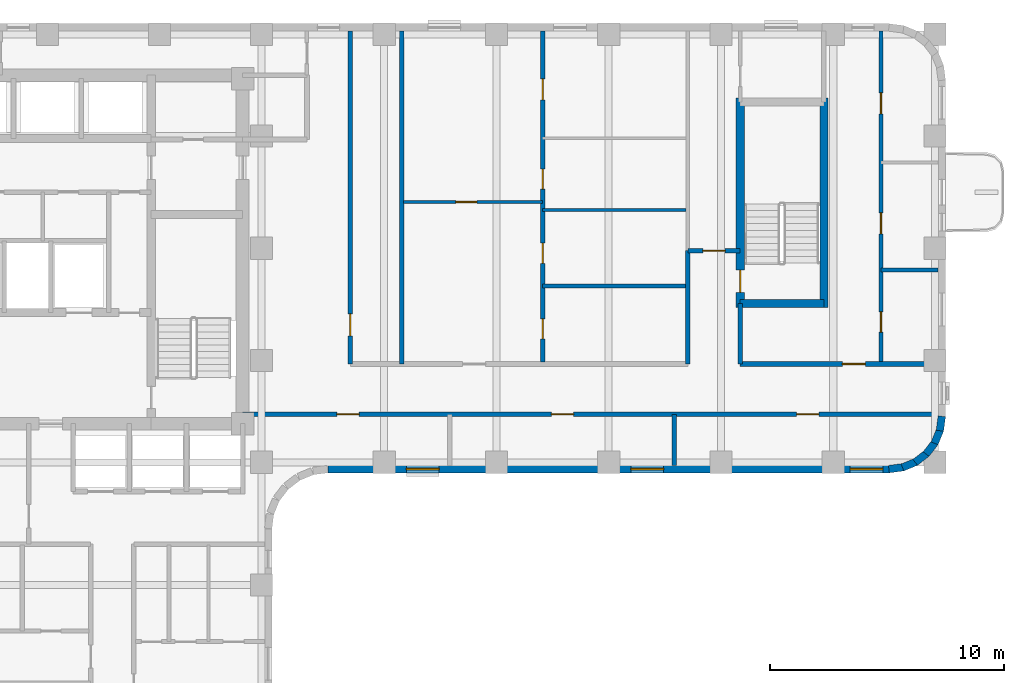
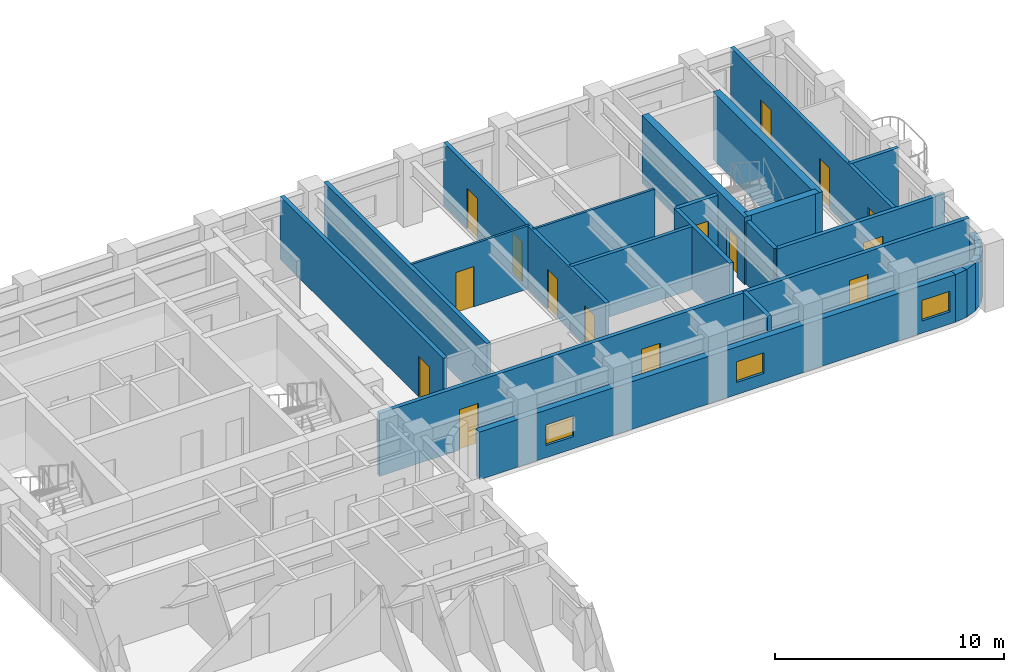
# One storey, part 5 of 10: 24 walls, 15 doors, 3 windows, 18 openings.
"""IFC4 building model written with IfcOpenShell, lengths in metres."""

from ifc_helpers import new_model, si_unit, direction, frame, frame_2d, origin, place, context, subcontext, project, spatial, rectangle, extrude, material, layer, layer_set, type_object, element, fill, save


model = new_model("IFC4")

# Units and contexts
model_context = context("Model", 3, precision=1e-05, world=origin(), true_north=direction((0.0, 1.0)))
body_context = subcontext(model_context, "Body", "Model", "MODEL_VIEW")
ifc_project = project(units=[si_unit("LENGTHUNIT", "METRE"), si_unit("AREAUNIT", "SQUARE_METRE"), si_unit("VOLUMEUNIT", "CUBIC_METRE"), si_unit("PLANEANGLEUNIT", "RADIAN"), si_unit("MASSUNIT", "GRAM", prefix="KILO")], contexts=[model_context])

# Site, building, storey
site_placement = place(None, origin())
site = spatial("IfcSite", under=ifc_project, at=site_placement, CompositionType="ELEMENT")
building_placement = place(site_placement, origin())
building = spatial("IfcBuilding", under=site, at=building_placement, Name="Orvandelia Arch Residences", CompositionType="ELEMENT")
storey_placement = place(building_placement, frame((0.0, 0.0, 132.39990234375)))
storey = spatial("IfcBuildingStorey", under=building, at=storey_placement, Name="L34", CompositionType="ELEMENT", Elevation=132.39990234375)

# Wall, opening, door
ifc_material_1 = material(Name="Concrete C50/60", Category="concrete")
ifc_layer_1 = layer(ifc_material_1, 0.35009765625, Name="Concrete C50/60", Category="concrete")
ifc_layer_set_1 = layer_set([ifc_layer_1], Name="Concrete C50/60")
wall_type_1 = type_object("IfcWallType", Name="WL-CORE-350", PredefinedType="SHEAR", material=ifc_layer_set_1)
wall_1_placement = place(storey_placement, frame((44.02001953125, 35.864990234375, 0.0), z_axis=(0.0, 0.0, 1.0), x_axis=(0.0, 1.0, 0.0)))
wall_1 = element("IfcWall", 1, at=wall_1_placement, inside=storey, type_object=wall_type_1, Name="East Stair Core Shear Wall L34-W", PredefinedType="SHEAR", context=body_context, shape_type="SweptSolid", body=[
    extrude(rectangle(XDim=8.969970703125, YDim=0.35009765625, at=frame_2d((4.48486328125, 0.0))), origin(), (0.0, 0.0, 1.0), 3.60009765625),
])
opening_1_placement = place(wall_1_placement, frame((0.64990234375, 0.0, 0.0)))
opening_1 = element("IfcOpeningElement", 2, at=opening_1_placement, cuts=wall_1, Name="Opening D7", PredefinedType="OPENING", context=body_context, shape_type="SweptSolid", body=[
    extrude(rectangle(XDim=0.949951171875, YDim=2.10009765625, at=frame_2d((0.47509765625, 1.050048828125))), frame((0.0, 0.18505859375, 0.0), z_axis=(0.0, -1.0, 0.0), x_axis=(1.0, 0.0, 0.0)), (0.0, 0.0, 1.0), 0.3701171875),
])
ifc_material_2 = material(Name="Pressurised Stairwell Fire Door")
door_type_1 = type_object("IfcDoorType", Name="DR-STAIR-950", OperationType="NOTDEFINED", PredefinedType="DOOR", material=ifc_material_2)
door_1_placement = place(opening_1_placement, origin())
door_1 = element("IfcDoor", 3, at=door_1_placement, inside=storey, type_object=door_type_1, Name="East Stairwell ST-3 Fire Door L34", OperationType="SINGLE_SWING_LEFT", OverallHeight=2.10009765625, OverallWidth=0.949951171875, PredefinedType="DOOR", context=body_context, shape_type="SweptSolid", body=[
    extrude(rectangle(XDim=0.949951171875, YDim=2.10009765625, at=frame_2d((0.47509765625, 1.050048828125))), frame((0.0, 0.02490234375, 0.0), z_axis=(0.0, -1.0, 0.0), x_axis=(1.0, 0.0, 0.0)), (0.0, 0.0, 1.0), 0.050048828125),
])
fill(opening_1, door_1)

# Walls
wall_2_placement = place(storey_placement, frame((47.60009765625, 35.864990234375, 0.0), z_axis=(0.0, 0.0, 1.0), x_axis=(0.0, 1.0, 0.0)))
element("IfcWall", 4, at=wall_2_placement, inside=storey, type_object=wall_type_1, Name="East Stair Core Shear Wall L34-E", PredefinedType="SHEAR", context=body_context, shape_type="SweptSolid", body=[
    extrude(rectangle(XDim=8.969970703125, YDim=0.35009765625, at=frame_2d((4.48486328125, 0.0))), origin(), (0.0, 0.0, 1.0), 3.60009765625),
])
wall_3_placement = place(storey_placement, frame((44.02001953125, 36.0400390625, 0.0), z_axis=(0.0, 0.0, 1.0), x_axis=(1.0, 0.0, 0.0)))
element("IfcWall", 5, at=wall_3_placement, inside=storey, type_object=wall_type_1, Name="East Stair Core Shear Wall L34-S", PredefinedType="SHEAR", context=body_context, shape_type="SweptSolid", body=[
    extrude(rectangle(XDim=3.580078125, YDim=0.35009765625, at=frame_2d((1.7900390625, 0.0))), origin(), (0.0, 0.0, 1.0), 3.60009765625),
])

# Wall, openings, doors
ifc_material_3 = material(Name="Fire-Rated Corridor Partition")
ifc_layer_2 = layer(ifc_material_3, 0.199951171875, Name="Fire-Rated Corridor Partition")
ifc_layer_set_2 = layer_set([ifc_layer_2], Name="Fire-Rated Corridor Partition")
wall_type_2 = type_object("IfcWallType", Name="WL-CORR-200", PredefinedType="PARTITIONING", material=ifc_layer_set_2)
wall_4_placement = place(storey_placement, frame((22.75, 31.300048828125, 0.0), z_axis=(0.0, 0.0, 1.0), x_axis=(1.0, 0.0, 0.0)))
wall_4 = element("IfcWall", 6, at=wall_4_placement, inside=storey, type_object=wall_type_2, Name="Interior Partition Wall WL-L34-ES-S", PredefinedType="PARTITIONING", context=body_context, shape_type="SweptSolid", body=[
    extrude(rectangle(XDim=29.72998046875, YDim=0.199951171875, at=frame_2d((14.864990234375, 0.0))), origin(), (0.0, 0.0, 1.0), 3.360107421875),
])
opening_2_placement = place(wall_4_placement, frame((4.02490234375, 0.0, 0.0)))
opening_2 = element("IfcOpeningElement", 7, at=opening_2_placement, cuts=wall_4, Name="Opening D2", PredefinedType="OPENING", context=body_context, shape_type="SweptSolid", body=[
    extrude(rectangle(XDim=0.949951171875, YDim=2.14990234375, at=frame_2d((0.47509765625, 1.074951171875))), frame((0.0, 0.10986328125, 0.0), z_axis=(0.0, -1.0, 0.0), x_axis=(1.0, 0.0, 0.0)), (0.0, 0.0, 1.0), 0.219970703125),
])
opening_3_placement = place(wall_4_placement, frame((13.199951171875, 0.0, 0.0)))
opening_3 = element("IfcOpeningElement", 8, at=opening_3_placement, cuts=wall_4, Name="Opening D2", PredefinedType="OPENING", context=body_context, shape_type="SweptSolid", body=[
    extrude(rectangle(XDim=0.949951171875, YDim=2.14990234375, at=frame_2d((0.47509765625, 1.074951171875))), frame((0.0, 0.10986328125, 0.0), z_axis=(0.0, -1.0, 0.0), x_axis=(1.0, 0.0, 0.0)), (0.0, 0.0, 1.0), 0.219970703125),
])
opening_4_placement = place(wall_4_placement, frame((23.679931640625, 0.0, 0.0)))
opening_4 = element("IfcOpeningElement", 9, at=opening_4_placement, cuts=wall_4, Name="Opening D2", PredefinedType="OPENING", context=body_context, shape_type="SweptSolid", body=[
    extrude(rectangle(XDim=0.949951171875, YDim=2.14990234375, at=frame_2d((0.47509765625, 1.074951171875))), frame((0.0, 0.10986328125, 0.0), z_axis=(0.0, -1.0, 0.0), x_axis=(1.0, 0.0, 0.0)), (0.0, 0.0, 1.0), 0.219970703125),
])
ifc_material_4 = material(Name="Solid-Core Timber Interior Fire Door", Category="wood")
door_type_2 = type_object("IfcDoorType", Name="DR-APT-950", OperationType="NOTDEFINED", PredefinedType="DOOR", material=ifc_material_4)
door_2_placement = place(opening_2_placement, origin())
door_2 = element("IfcDoor", 10, at=door_2_placement, inside=storey, type_object=door_type_2, Name="DR-L34-ESS-1", OperationType="SINGLE_SWING_LEFT", OverallHeight=2.14990234375, OverallWidth=0.949951171875, PredefinedType="DOOR", context=body_context, shape_type="SweptSolid", body=[
    extrude(rectangle(XDim=0.949951171875, YDim=2.14990234375, at=frame_2d((0.47509765625, 1.074951171875))), frame((0.0, 0.02490234375, 0.0), z_axis=(0.0, -1.0, 0.0), x_axis=(1.0, 0.0, 0.0)), (0.0, 0.0, 1.0), 0.050048828125),
])
fill(opening_2, door_2)
door_3_placement = place(opening_3_placement, origin())
door_3 = element("IfcDoor", 11, at=door_3_placement, inside=storey, type_object=door_type_2, Name="DR-L34-ESS-2", OperationType="SINGLE_SWING_RIGHT", OverallHeight=2.14990234375, OverallWidth=0.949951171875, PredefinedType="DOOR", context=body_context, shape_type="SweptSolid", body=[
    extrude(rectangle(XDim=0.949951171875, YDim=2.14990234375, at=frame_2d((0.47509765625, 1.074951171875))), frame((0.0, 0.02490234375, 0.0), z_axis=(0.0, -1.0, 0.0), x_axis=(1.0, 0.0, 0.0)), (0.0, 0.0, 1.0), 0.050048828125),
])
fill(opening_3, door_3)
door_4_placement = place(opening_4_placement, origin())
door_4 = element("IfcDoor", 12, at=door_4_placement, inside=storey, type_object=door_type_2, Name="DR-L34-ESS-3", OperationType="SINGLE_SWING_LEFT", OverallHeight=2.14990234375, OverallWidth=0.949951171875, PredefinedType="DOOR", context=body_context, shape_type="SweptSolid", body=[
    extrude(rectangle(XDim=0.949951171875, YDim=2.14990234375, at=frame_2d((0.47509765625, 1.074951171875))), frame((0.0, 0.02490234375, 0.0), z_axis=(0.0, -1.0, 0.0), x_axis=(1.0, 0.0, 0.0)), (0.0, 0.0, 1.0), 0.050048828125),
])
fill(opening_4, door_4)

# Wall, opening, door
wall_5_placement = place(storey_placement, frame((44.02001953125, 33.449951171875, 0.0), z_axis=(0.0, 0.0, 1.0), x_axis=(1.0, 0.0, 0.0)))
wall_5 = element("IfcWall", 13, at=wall_5_placement, inside=storey, type_object=wall_type_2, Name="Interior Partition Wall WL-L34-ES-N2", PredefinedType="PARTITIONING", context=body_context, shape_type="SweptSolid", body=[
    extrude(rectangle(XDim=8.4599609375, YDim=0.199951171875, at=frame_2d((4.22998046875, 0.0))), origin(), (0.0, 0.0, 1.0), 3.360107421875),
])
opening_5_placement = place(wall_5_placement, frame((4.37158203125, 0.0, 0.0)))
opening_5 = element("IfcOpeningElement", 14, at=opening_5_placement, cuts=wall_5, Name="Opening D1", PredefinedType="OPENING", context=body_context, shape_type="SweptSolid", body=[
    extrude(rectangle(XDim=0.97998046875, YDim=2.179931640625, at=frame_2d((0.489990234375, 1.08984375))), frame((0.0, 0.10986328125, 0.0), z_axis=(0.0, -1.0, 0.0), x_axis=(1.0, 0.0, 0.0)), (0.0, 0.0, 1.0), 0.219970703125),
])
ifc_material_5 = material(Name="Solid-Core Timber Acoustic Fire Door", Category="wood")
door_type_3 = type_object("IfcDoorType", Name="DR-ENT-980", OperationType="NOTDEFINED", PredefinedType="DOOR", material=ifc_material_5)
door_5_placement = place(opening_5_placement, origin())
door_5 = element("IfcDoor", 15, at=door_5_placement, inside=storey, type_object=door_type_3, Name="Unit L34-07 Entrance Door", OperationType="SINGLE_SWING_LEFT", OverallHeight=2.179931640625, OverallWidth=0.97998046875, PredefinedType="DOOR", context=body_context, shape_type="SweptSolid", body=[
    extrude(rectangle(XDim=0.97998046875, YDim=2.179931640625, at=frame_2d((0.489990234375, 1.08984375))), frame((0.0, 0.02490234375, 0.0), z_axis=(0.0, -1.0, 0.0), x_axis=(1.0, 0.0, 0.0)), (0.0, 0.0, 1.0), 0.050048828125),
])
fill(opening_5, door_5)

wall_6_placement = place(storey_placement, frame((27.35009765625, 33.449951171875, 0.0), z_axis=(0.0, 0.0, 1.0), x_axis=(0.0, 1.0, 0.0)))
wall_6 = element("IfcWall", 16, at=wall_6_placement, inside=storey, type_object=wall_type_2, Name="Interior Partition Wall WL-L34-ES-NCE", PredefinedType="PARTITIONING", context=body_context, shape_type="SweptSolid", body=[
    extrude(rectangle(XDim=14.22998046875, YDim=0.199951171875, at=frame_2d((7.114990234375, 0.0))), origin(), (0.0, 0.0, 1.0), 3.360107421875),
])
opening_6_placement = place(wall_6_placement, frame((1.199951171875, 0.0, 0.0)))
opening_6 = element("IfcOpeningElement", 17, at=opening_6_placement, cuts=wall_6, Name="Opening D2", PredefinedType="OPENING", context=body_context, shape_type="SweptSolid", body=[
    extrude(rectangle(XDim=0.949951171875, YDim=2.14990234375, at=frame_2d((0.47509765625, 1.074951171875))), frame((0.0, 0.10986328125, 0.0), z_axis=(0.0, -1.0, 0.0), x_axis=(1.0, 0.0, 0.0)), (0.0, 0.0, 1.0), 0.219970703125),
])
door_6_placement = place(opening_6_placement, origin())
door_6 = element("IfcDoor", 18, at=door_6_placement, inside=storey, type_object=door_type_2, Name="DR-L34-ESLDY", OperationType="SINGLE_SWING_RIGHT", OverallHeight=2.14990234375, OverallWidth=0.949951171875, PredefinedType="DOOR", context=body_context, shape_type="SweptSolid", body=[
    extrude(rectangle(XDim=0.949951171875, YDim=2.14990234375, at=frame_2d((0.47509765625, 1.074951171875))), frame((0.0, 0.02490234375, 0.0), z_axis=(0.0, -1.0, 0.0), x_axis=(1.0, 0.0, 0.0)), (0.0, 0.0, 1.0), 0.050048828125),
])
fill(opening_6, door_6)

# Wall
wall_7_placement = place(storey_placement, frame((41.780029296875, 33.449951171875, 0.0), z_axis=(0.0, 0.0, 1.0), x_axis=(0.0, 1.0, 0.0)))
element("IfcWall", 19, at=wall_7_placement, inside=storey, type_object=wall_type_2, Name="Interior Partition Wall WL-L34-ES-SW", PredefinedType="PARTITIONING", context=body_context, shape_type="SweptSolid", body=[
    extrude(rectangle(XDim=4.85009765625, YDim=0.199951171875, at=frame_2d((2.425048828125, 0.0))), origin(), (0.0, 0.0, 1.0), 3.360107421875),
])

# Wall, opening, door
wall_8_placement = place(storey_placement, frame((41.780029296875, 38.300048828125, 0.0), z_axis=(0.0, 0.0, 1.0), x_axis=(1.0, 0.0, 0.0)))
wall_8 = element("IfcWall", 20, at=wall_8_placement, inside=storey, type_object=wall_type_2, Name="Interior Partition Wall WL-L34-ES-SN", PredefinedType="PARTITIONING", context=body_context, shape_type="SweptSolid", body=[
    extrude(rectangle(XDim=2.239990234375, YDim=0.199951171875, at=frame_2d((1.1201171875, 0.0))), origin(), (0.0, 0.0, 1.0), 3.360107421875),
])
opening_7_placement = place(wall_8_placement, frame((0.64990234375, 0.0, 0.0)))
opening_7 = element("IfcOpeningElement", 21, at=opening_7_placement, cuts=wall_8, Name="Opening D2", PredefinedType="OPENING", context=body_context, shape_type="SweptSolid", body=[
    extrude(rectangle(XDim=0.949951171875, YDim=2.14990234375, at=frame_2d((0.47509765625, 1.074951171875))), frame((0.0, 0.10986328125, 0.0), z_axis=(0.0, -1.0, 0.0), x_axis=(1.0, 0.0, 0.0)), (0.0, 0.0, 1.0), 0.219970703125),
])
door_7_placement = place(opening_7_placement, origin())
door_7 = element("IfcDoor", 22, at=door_7_placement, inside=storey, type_object=door_type_2, Name="DR-L34-ESSPK", OperationType="SINGLE_SWING_LEFT", OverallHeight=2.14990234375, OverallWidth=0.949951171875, PredefinedType="DOOR", context=body_context, shape_type="SweptSolid", body=[
    extrude(rectangle(XDim=0.949951171875, YDim=2.14990234375, at=frame_2d((0.47509765625, 1.074951171875))), frame((0.0, 0.02490234375, 0.0), z_axis=(0.0, -1.0, 0.0), x_axis=(1.0, 0.0, 0.0)), (0.0, 0.0, 1.0), 0.050048828125),
])
fill(opening_7, door_7)

# Walls
ifc_material_6 = material(Name="Concrete C40/50", Category="concrete")
ifc_layer_3 = layer(ifc_material_6, 0.199951171875, Name="Concrete C40/50", Category="concrete")
ifc_layer_set_3 = layer_set([ifc_layer_3], Name="Concrete C40/50")
wall_type_3 = type_object("IfcWallType", Name="WL-DEM-200", PredefinedType="SOLIDWALL", material=ifc_layer_set_3)
wall_9_placement = place(storey_placement, frame((41.199951171875, 29.1201171875, 0.0), z_axis=(0.0, 0.0, 1.0), x_axis=(0.0, 1.0, 0.0)))
element("IfcWall", 23, at=wall_9_placement, inside=storey, type_object=wall_type_3, Name="Interior Partition Wall WL-L34-ESSD-2", PredefinedType="SOLIDWALL", context=body_context, shape_type="SweptSolid", body=[
    extrude(rectangle(XDim=2.179931640625, YDim=0.199951171875, at=frame_2d((1.08984375, 0.0))), origin(), (0.0, 0.0, 1.0), 3.360107421875),
])
wall_10_placement = place(storey_placement, frame((29.550048828125, 33.449951171875, 0.0), z_axis=(0.0, 0.0, 1.0), x_axis=(0.0, 1.0, 0.0)))
element("IfcWall", 24, at=wall_10_placement, inside=storey, type_object=wall_type_3, Name="Interior Partition Wall WL-L34-ES-LDE", PredefinedType="SOLIDWALL", context=body_context, shape_type="SweptSolid", body=[
    extrude(rectangle(XDim=14.22998046875, YDim=0.199951171875, at=frame_2d((7.114990234375, 0.0))), origin(), (0.0, 0.0, 1.0), 3.360107421875),
])
wall_11_placement = place(storey_placement, frame((44.02001953125, 33.449951171875, 0.0), z_axis=(0.0, 0.0, 1.0), x_axis=(0.0, 1.0, 0.0)))
element("IfcWall", 25, at=wall_11_placement, inside=storey, type_object=wall_type_3, Name="Interior Partition Wall WL-L34-ES-NST3S", PredefinedType="SOLIDWALL", context=body_context, shape_type="SweptSolid", body=[
    extrude(rectangle(XDim=2.590087890625, YDim=0.199951171875, at=frame_2d((1.294921875, 0.0))), origin(), (0.0, 0.0, 1.0), 3.360107421875),
])
ifc_material_7 = material(Name="Precast concrete C40/50", Category="concrete")
ifc_layer_4 = layer(ifc_material_7, 0.320068359375, Name="Precast concrete C40/50", Category="concrete")
ifc_layer_set_4 = layer_set([ifc_layer_4], Name="Precast concrete C40/50")
wall_type_4 = type_object("IfcWallType", Name="WL-EXT-STONE-320", PredefinedType="STANDARD", material=ifc_layer_set_4)
wall_12_placement = place(storey_placement, frame((52.641357421875, 31.220947265625, 0.0), z_axis=(0.0, 0.0, 1.0), x_axis=(-0.130504898859, -0.991447664465, 0.0)))
element("IfcWall", 26, at=wall_12_placement, inside=storey, type_object=wall_type_4, Name="Coral-Limestone Precast Facade Wall L34-015", PredefinedType="STANDARD", context=body_context, shape_type="SweptSolid", body=[
    extrude(rectangle(XDim=0.626708984375, YDim=0.320068359375, at=frame_2d((0.3134765625, 0.0))), origin(), (0.0, 0.0, 1.0), 2.5400390625),
])
wall_13_placement = place(storey_placement, frame((52.5703125, 30.639892578125, 0.0), z_axis=(0.0, 0.0, 1.0), x_axis=(-0.382455093999, -0.923974080304, 0.0)))
element("IfcWall", 27, at=wall_13_placement, inside=storey, type_object=wall_type_4, Name="Coral-Limestone Precast Facade Wall L34-016", PredefinedType="STANDARD", context=body_context, shape_type="SweptSolid", body=[
    extrude(rectangle(XDim=0.626220703125, YDim=0.320068359375, at=frame_2d((0.31298828125, 0.0))), origin(), (0.0, 0.0, 1.0), 2.5400390625),
])
wall_14_placement = place(storey_placement, frame((52.3515625, 30.097412109375, 0.0), z_axis=(0.0, 0.0, 1.0), x_axis=(-0.608693302629, -0.793405610854, 0.0)))
element("IfcWall", 28, at=wall_14_placement, inside=storey, type_object=wall_type_4, Name="Coral-Limestone Precast Facade Wall L34-017", PredefinedType="STANDARD", context=body_context, shape_type="SweptSolid", body=[
    extrude(rectangle(XDim=0.62646484375, YDim=0.320068359375, at=frame_2d((0.313232421875, 0.0))), origin(), (0.0, 0.0, 1.0), 2.5400390625),
])
wall_15_placement = place(storey_placement, frame((51.999755859375, 29.6298828125, 0.0), z_axis=(0.0, 0.0, 1.0), x_axis=(-0.7932174212, -0.608938521285, 0.0)))
element("IfcWall", 29, at=wall_15_placement, inside=storey, type_object=wall_type_4, Name="Coral-Limestone Precast Facade Wall L34-018", PredefinedType="STANDARD", context=body_context, shape_type="SweptSolid", body=[
    extrude(rectangle(XDim=0.626708984375, YDim=0.320068359375, at=frame_2d((0.3134765625, 0.0))), origin(), (0.0, 0.0, 1.0), 2.5400390625),
])
for number, where, z_axis, x_axis, name in (
    (30, (51.538818359375, 29.269287109375, 0.0), (0.0, 0.0, 1.0), (-0.92389335771, -0.382650053678, 0.0), "Coral-Limestone Precast Facade Wall L34-019"),
    (31, (51.000244140625, 29.040283203125, 0.0), (0.0, 0.0, 1.0), (-0.9914410257, -0.130555323746, 0.0), "Coral-Limestone Precast Facade Wall L34-020"),
):
    element("IfcWall", number, at=place(storey_placement, frame(where, z_axis=z_axis, x_axis=x_axis)), inside=storey, type_object=wall_type_4, Name=name, PredefinedType="STANDARD", context=body_context, shape_type="SweptSolid", body=[
        extrude(rectangle(XDim=0.62646484375, YDim=0.320068359375, at=frame_2d((0.313232421875, 0.0))), origin(), (0.0, 0.0, 1.0), 2.5400390625),
    ])

# Wall, openings, windows
wall_16_placement = place(storey_placement, frame((50.39990234375, 28.9599609375, 0.0), z_axis=(0.0, 0.0, 1.0), x_axis=(-1.0, 0.0, 0.0)))
wall_16 = element("IfcWall", 32, at=wall_16_placement, inside=storey, type_object=wall_type_4, Name="Coral-Limestone Precast Facade Wall L34-021", PredefinedType="STANDARD", context=body_context, shape_type="SweptSolid", body=[
    extrude(rectangle(XDim=24.0, YDim=0.320068359375, at=frame_2d((12.0, 0.0))), origin(), (0.0, 0.0, 1.0), 2.5400390625),
])
opening_8_placement = place(wall_16_placement, frame((19.25244140625, 0.0, 0.64990234375)))
opening_8 = element("IfcOpeningElement", 33, at=opening_8_placement, cuts=wall_16, Name="Opening W10", PredefinedType="OPENING", context=body_context, shape_type="SweptSolid", body=[
    extrude(rectangle(XDim=1.39990234375, YDim=1.10009765625, at=frame_2d((0.699951171875, 0.550048828125))), frame((0.0, 0.169921875, 0.0), z_axis=(0.0, -1.0, 0.0), x_axis=(1.0, 0.0, 0.0)), (0.0, 0.0, 1.0), 0.340087890625),
])
opening_9_placement = place(wall_16_placement, frame((9.652587890625, 0.0, 0.64990234375)))
opening_9 = element("IfcOpeningElement", 34, at=opening_9_placement, cuts=wall_16, Name="Opening W10", PredefinedType="OPENING", context=body_context, shape_type="SweptSolid", body=[
    extrude(rectangle(XDim=1.39990234375, YDim=1.10009765625, at=frame_2d((0.699951171875, 0.550048828125))), frame((0.0, 0.169921875, 0.0), z_axis=(0.0, -1.0, 0.0), x_axis=(1.0, 0.0, 0.0)), (0.0, 0.0, 1.0), 0.340087890625),
])
opening_10_placement = place(wall_16_placement, frame((0.282470703125, 0.0, 0.64990234375)))
opening_10 = element("IfcOpeningElement", 35, at=opening_10_placement, cuts=wall_16, Name="Opening W10", PredefinedType="OPENING", context=body_context, shape_type="SweptSolid", body=[
    extrude(rectangle(XDim=1.39990234375, YDim=1.10009765625, at=frame_2d((0.699951171875, 0.550048828125))), frame((0.0, 0.169921875, 0.0), z_axis=(0.0, -1.0, 0.0), x_axis=(1.0, 0.0, 0.0)), (0.0, 0.0, 1.0), 0.340087890625),
])
ifc_material_8 = material(Name="Tempered Low-E Insulated Glazing", Category="glass")
window_type = type_object("IfcWindowType", Name="WIN-CLR-1400x1100", PartitioningType="SINGLE_PANEL", PredefinedType="WINDOW", material=ifc_material_8)
window_1_placement = place(opening_8_placement, origin())
window_1 = element("IfcWindow", 36, at=window_1_placement, inside=storey, type_object=window_type, Name="Recessed Punched Window L34-012", OverallHeight=1.10009765625, OverallWidth=1.39990234375, PartitioningType="SINGLE_PANEL", PredefinedType="WINDOW", context=body_context, shape_type="SweptSolid", body=[
    extrude(rectangle(XDim=1.39990234375, YDim=1.10009765625, at=frame_2d((0.699951171875, 0.550048828125))), frame((0.0, 0.030029296875, 0.0), z_axis=(0.0, -1.0, 0.0), x_axis=(1.0, 0.0, 0.0)), (0.0, 0.0, 1.0), 0.06005859375),
])
fill(opening_8, window_1)
window_2_placement = place(opening_9_placement, origin())
window_2 = element("IfcWindow", 37, at=window_2_placement, inside=storey, type_object=window_type, Name="Recessed Punched Window L34-013", OverallHeight=1.10009765625, OverallWidth=1.39990234375, PartitioningType="SINGLE_PANEL", PredefinedType="WINDOW", context=body_context, shape_type="SweptSolid", body=[
    extrude(rectangle(XDim=1.39990234375, YDim=1.10009765625, at=frame_2d((0.699951171875, 0.550048828125))), frame((0.0, 0.030029296875, 0.0), z_axis=(0.0, -1.0, 0.0), x_axis=(1.0, 0.0, 0.0)), (0.0, 0.0, 1.0), 0.06005859375),
])
fill(opening_9, window_2)
window_3_placement = place(opening_10_placement, origin())
window_3 = element("IfcWindow", 38, at=window_3_placement, inside=storey, type_object=window_type, Name="Recessed Punched Window L34-014", OverallHeight=1.10009765625, OverallWidth=1.39990234375, PartitioningType="SINGLE_PANEL", PredefinedType="WINDOW", context=body_context, shape_type="SweptSolid", body=[
    extrude(rectangle(XDim=1.39990234375, YDim=1.10009765625, at=frame_2d((0.699951171875, 0.550048828125))), frame((0.0, 0.030029296875, 0.0), z_axis=(0.0, -1.0, 0.0), x_axis=(1.0, 0.0, 0.0)), (0.0, 0.0, 1.0), 0.06005859375),
])
fill(opening_10, window_3)

# Wall, opening, door
ifc_material_9 = material(Name="Lightweight Gypsum Stud Partition")
ifc_layer_5 = layer(ifc_material_9, 0.1201171875, Name="Lightweight Gypsum Stud Partition")
ifc_layer_set_5 = layer_set([ifc_layer_5], Name="Lightweight Gypsum Stud Partition")
wall_type_5 = type_object("IfcWallType", Name="WL-PART-120", PredefinedType="PARTITIONING", material=ifc_layer_set_5)
wall_17_placement = place(storey_placement, frame((29.6298828125, 40.382080078125, 0.0), z_axis=(0.0, 0.0, 1.0), x_axis=(1.0, 0.0, 0.0)))
wall_17 = element("IfcWall", 39, at=wall_17_placement, inside=storey, type_object=wall_type_5, Name="Interior Partition Wall WL-L34-U06-DIN", PredefinedType="PARTITIONING", context=body_context, shape_type="SweptSolid", body=[
    extrude(rectangle(XDim=5.947021484375, YDim=0.1201171875, at=frame_2d((2.9736328125, 0.0))), origin(), (0.0, 0.0, 1.0), 3.360107421875),
])
opening_11_placement = place(wall_17_placement, frame((2.235107421875, 0.0, 0.0)))
opening_11 = element("IfcOpeningElement", 40, at=opening_11_placement, cuts=wall_17, Name="Opening D3", PredefinedType="OPENING", context=body_context, shape_type="SweptSolid", body=[
    extrude(rectangle(XDim=0.89990234375, YDim=2.14990234375, at=frame_2d((0.449951171875, 1.074951171875))), frame((0.0, 0.070068359375, 0.0), z_axis=(0.0, -1.0, 0.0), x_axis=(1.0, 0.0, 0.0)), (0.0, 0.0, 1.0), 0.14013671875),
])
ifc_material_10 = material(Name="Engineered Timber Flush Door", Category="wood")
door_type_4 = type_object("IfcDoorType", Name="DR-INT-900", OperationType="NOTDEFINED", PredefinedType="DOOR", material=ifc_material_10)
door_8_placement = place(opening_11_placement, origin())
door_8 = element("IfcDoor", 41, at=door_8_placement, inside=storey, type_object=door_type_4, Name="DR-L34-U06-DIN", OperationType="SINGLE_SWING_LEFT", OverallHeight=2.14990234375, OverallWidth=0.89990234375, PredefinedType="DOOR", context=body_context, shape_type="SweptSolid", body=[
    extrude(rectangle(XDim=0.89990234375, YDim=2.14990234375, at=frame_2d((0.449951171875, 1.074951171875))), frame((0.0, 0.02490234375, 0.0), z_axis=(0.0, -1.0, 0.0), x_axis=(1.0, 0.0, 0.0)), (0.0, 0.0, 1.0), 0.050048828125),
])
fill(opening_11, door_8)

# Wall
wall_18_placement = place(storey_placement, frame((35.576904296875, 40.0419921875, 0.0), z_axis=(0.0, 0.0, 1.0), x_axis=(1.0, 0.0, 0.0)))
element("IfcWall", 42, at=wall_18_placement, inside=storey, type_object=wall_type_5, Name="Interior Partition Wall WL-L34-U06-H1B", PredefinedType="PARTITIONING", context=body_context, shape_type="SweptSolid", body=[
    extrude(rectangle(XDim=6.123046875, YDim=0.1201171875, at=frame_2d((3.0615234375, 0.0))), origin(), (0.0, 0.0, 1.0), 3.360107421875),
])

# Wall, openings, doors
ifc_material_11 = material(Name="Moisture-Resistant Plumbing Wall")
ifc_layer_6 = layer(ifc_material_11, 0.179931640625, Name="Moisture-Resistant Plumbing Wall")
ifc_layer_set_6 = layer_set([ifc_layer_6], Name="Moisture-Resistant Plumbing Wall")
wall_type_6 = type_object("IfcWallType", Name="WL-WET-180", PredefinedType="PLUMBINGWALL", material=ifc_layer_set_6)
wall_19_placement = place(storey_placement, frame((35.576904296875, 33.530029296875, 0.0), z_axis=(0.0, 0.0, 1.0), x_axis=(0.0, 1.0, 0.0)))
wall_19 = element("IfcWall", 43, at=wall_19_placement, inside=storey, type_object=wall_type_6, Name="Interior Partition Wall WL-L34-U06-VT", PredefinedType="PLUMBINGWALL", context=body_context, shape_type="SweptSolid", body=[
    extrude(rectangle(XDim=14.14990234375, YDim=0.179931640625, at=frame_2d((7.074951171875, 0.0))), origin(), (0.0, 0.0, 1.0), 3.360107421875),
])
opening_12_placement = place(wall_19_placement, frame((0.99267578125, 0.0, 0.0)))
opening_12 = element("IfcOpeningElement", 44, at=opening_12_placement, cuts=wall_19, Name="Opening D4", PredefinedType="OPENING", context=body_context, shape_type="SweptSolid", body=[
    extrude(rectangle(XDim=0.860107421875, YDim=2.10009765625, at=frame_2d((0.43017578125, 1.050048828125))), frame((0.0, 0.10009765625, 0.0), z_axis=(0.0, -1.0, 0.0), x_axis=(1.0, 0.0, 0.0)), (0.0, 0.0, 1.0), 0.199951171875),
])
opening_13_placement = place(wall_19_placement, frame((4.226318359375, 0.0, 0.0)))
opening_13 = element("IfcOpeningElement", 45, at=opening_13_placement, cuts=wall_19, Name="Opening D4", PredefinedType="OPENING", context=body_context, shape_type="SweptSolid", body=[
    extrude(rectangle(XDim=0.860107421875, YDim=2.10009765625, at=frame_2d((0.43017578125, 1.050048828125))), frame((0.0, 0.10009765625, 0.0), z_axis=(0.0, -1.0, 0.0), x_axis=(1.0, 0.0, 0.0)), (0.0, 0.0, 1.0), 0.199951171875),
])
opening_14_placement = place(wall_19_placement, frame((7.396240234375, 0.0, 0.0)))
opening_14 = element("IfcOpeningElement", 46, at=opening_14_placement, cuts=wall_19, Name="Opening D4", PredefinedType="OPENING", context=body_context, shape_type="SweptSolid", body=[
    extrude(rectangle(XDim=0.860107421875, YDim=2.10009765625, at=frame_2d((0.43017578125, 1.050048828125))), frame((0.0, 0.10009765625, 0.0), z_axis=(0.0, -1.0, 0.0), x_axis=(1.0, 0.0, 0.0)), (0.0, 0.0, 1.0), 0.199951171875),
])
opening_15_placement = place(wall_19_placement, frame((11.2119140625, 0.0, 0.0)))
opening_15 = element("IfcOpeningElement", 47, at=opening_15_placement, cuts=wall_19, Name="Opening D3", PredefinedType="OPENING", context=body_context, shape_type="SweptSolid", body=[
    extrude(rectangle(XDim=0.89990234375, YDim=2.14990234375, at=frame_2d((0.449951171875, 1.074951171875))), frame((0.0, 0.10009765625, 0.0), z_axis=(0.0, -1.0, 0.0), x_axis=(1.0, 0.0, 0.0)), (0.0, 0.0, 1.0), 0.199951171875),
])
door_9_placement = place(opening_15_placement, origin())
door_9 = element("IfcDoor", 48, at=door_9_placement, inside=storey, type_object=door_type_4, Name="DR-L34-U06-BD1", OperationType="SINGLE_SWING_RIGHT", OverallHeight=2.14990234375, OverallWidth=0.89990234375, PredefinedType="DOOR", context=body_context, shape_type="SweptSolid", body=[
    extrude(rectangle(XDim=0.89990234375, YDim=2.14990234375, at=frame_2d((0.449951171875, 1.074951171875))), frame((0.0, 0.02490234375, 0.0), z_axis=(0.0, -1.0, 0.0), x_axis=(1.0, 0.0, 0.0)), (0.0, 0.0, 1.0), 0.050048828125),
])
fill(opening_15, door_9)
ifc_material_12 = material(Name="Moisture-Sealed Timber Bathroom Door", Category="wood")
door_type_5 = type_object("IfcDoorType", Name="DR-WET-900", OperationType="NOTDEFINED", PredefinedType="DOOR", material=ifc_material_12)
door_10_placement = place(opening_12_placement, origin())
door_10 = element("IfcDoor", 49, at=door_10_placement, inside=storey, type_object=door_type_5, Name="DR-L34-U06-BTH", OperationType="SINGLE_SWING_LEFT", OverallHeight=2.10009765625, OverallWidth=0.860107421875, PredefinedType="DOOR", context=body_context, shape_type="SweptSolid", body=[
    extrude(rectangle(XDim=0.860107421875, YDim=2.10009765625, at=frame_2d((0.43017578125, 1.050048828125))), frame((0.0, 0.02490234375, 0.0), z_axis=(0.0, -1.0, 0.0), x_axis=(1.0, 0.0, 0.0)), (0.0, 0.0, 1.0), 0.050048828125),
])
fill(opening_12, door_10)
door_11_placement = place(opening_13_placement, origin())
door_11 = element("IfcDoor", 50, at=door_11_placement, inside=storey, type_object=door_type_5, Name="DR-L34-U06-KIT", OperationType="SINGLE_SWING_RIGHT", OverallHeight=2.10009765625, OverallWidth=0.860107421875, PredefinedType="DOOR", context=body_context, shape_type="SweptSolid", body=[
    extrude(rectangle(XDim=0.860107421875, YDim=2.10009765625, at=frame_2d((0.43017578125, 1.050048828125))), frame((0.0, 0.02490234375, 0.0), z_axis=(0.0, -1.0, 0.0), x_axis=(1.0, 0.0, 0.0)), (0.0, 0.0, 1.0), 0.050048828125),
])
fill(opening_13, door_11)
door_12_placement = place(opening_14_placement, origin())
door_12 = element("IfcDoor", 51, at=door_12_placement, inside=storey, type_object=door_type_5, Name="DR-L34-U06-STDY", OperationType="SINGLE_SWING_LEFT", OverallHeight=2.10009765625, OverallWidth=0.860107421875, PredefinedType="DOOR", context=body_context, shape_type="SweptSolid", body=[
    extrude(rectangle(XDim=0.860107421875, YDim=2.10009765625, at=frame_2d((0.43017578125, 1.050048828125))), frame((0.0, 0.02490234375, 0.0), z_axis=(0.0, -1.0, 0.0), x_axis=(1.0, 0.0, 0.0)), (0.0, 0.0, 1.0), 0.050048828125),
])
fill(opening_14, door_12)

# Wall
wall_20_placement = place(storey_placement, frame((35.576904296875, 36.785888671875, 0.0), z_axis=(0.0, 0.0, 1.0), x_axis=(1.0, 0.0, 0.0)))
element("IfcWall", 52, at=wall_20_placement, inside=storey, type_object=wall_type_6, Name="Interior Partition Wall WL-L34-U06-H1", PredefinedType="PLUMBINGWALL", context=body_context, shape_type="SweptSolid", body=[
    extrude(rectangle(XDim=6.123046875, YDim=0.179931640625, at=frame_2d((3.0615234375, 0.0))), origin(), (0.0, 0.0, 1.0), 3.360107421875),
])

# Wall, openings, doors
wall_21_placement = place(storey_placement, frame((50.04296875, 33.550048828125, 0.0), z_axis=(0.0, 0.0, 1.0), x_axis=(0.0, 1.0, 0.0)))
wall_21 = element("IfcWall", 53, at=wall_21_placement, inside=storey, type_object=wall_type_6, Name="Interior Partition Wall WL-L34-U07-VT", PredefinedType="PLUMBINGWALL", context=body_context, shape_type="SweptSolid", body=[
    extrude(rectangle(XDim=14.1298828125, YDim=0.179931640625, at=frame_2d((7.06494140625, 0.0))), origin(), (0.0, 0.0, 1.0), 3.360107421875),
])
opening_16_placement = place(wall_21_placement, frame((1.26708984375, 0.0, 0.0)))
opening_16 = element("IfcOpeningElement", 54, at=opening_16_placement, cuts=wall_21, Name="Opening D4", PredefinedType="OPENING", context=body_context, shape_type="SweptSolid", body=[
    extrude(rectangle(XDim=0.860107421875, YDim=2.10009765625, at=frame_2d((0.43017578125, 1.050048828125))), frame((0.0, 0.10009765625, 0.0), z_axis=(0.0, -1.0, 0.0), x_axis=(1.0, 0.0, 0.0)), (0.0, 0.0, 1.0), 0.199951171875),
])
opening_17_placement = place(wall_21_placement, frame((5.467529296875, 0.0, 0.0)))
opening_17 = element("IfcOpeningElement", 55, at=opening_17_placement, cuts=wall_21, Name="Opening D3", PredefinedType="OPENING", context=body_context, shape_type="SweptSolid", body=[
    extrude(rectangle(XDim=0.89990234375, YDim=2.14990234375, at=frame_2d((0.449951171875, 1.074951171875))), frame((0.0, 0.10009765625, 0.0), z_axis=(0.0, -1.0, 0.0), x_axis=(1.0, 0.0, 0.0)), (0.0, 0.0, 1.0), 0.199951171875),
])
opening_18_placement = place(wall_21_placement, frame((10.595703125, 0.0, 0.0)))
opening_18 = element("IfcOpeningElement", 56, at=opening_18_placement, cuts=wall_21, Name="Opening D3", PredefinedType="OPENING", context=body_context, shape_type="SweptSolid", body=[
    extrude(rectangle(XDim=0.89990234375, YDim=2.14990234375, at=frame_2d((0.449951171875, 1.074951171875))), frame((0.0, 0.10009765625, 0.0), z_axis=(0.0, -1.0, 0.0), x_axis=(1.0, 0.0, 0.0)), (0.0, 0.0, 1.0), 0.199951171875),
])
door_13_placement = place(opening_17_placement, origin())
door_13 = element("IfcDoor", 57, at=door_13_placement, inside=storey, type_object=door_type_4, Name="DR-L34-U07-KIT", OperationType="SINGLE_SWING_LEFT", OverallHeight=2.14990234375, OverallWidth=0.89990234375, PredefinedType="DOOR", context=body_context, shape_type="SweptSolid", body=[
    extrude(rectangle(XDim=0.89990234375, YDim=2.14990234375, at=frame_2d((0.449951171875, 1.074951171875))), frame((0.0, 0.02490234375, 0.0), z_axis=(0.0, -1.0, 0.0), x_axis=(1.0, 0.0, 0.0)), (0.0, 0.0, 1.0), 0.050048828125),
])
fill(opening_17, door_13)
door_14_placement = place(opening_18_placement, origin())
door_14 = element("IfcDoor", 58, at=door_14_placement, inside=storey, type_object=door_type_4, Name="DR-L34-U07-BD1", OperationType="SINGLE_SWING_RIGHT", OverallHeight=2.14990234375, OverallWidth=0.89990234375, PredefinedType="DOOR", context=body_context, shape_type="SweptSolid", body=[
    extrude(rectangle(XDim=0.89990234375, YDim=2.14990234375, at=frame_2d((0.449951171875, 1.074951171875))), frame((0.0, 0.02490234375, 0.0), z_axis=(0.0, -1.0, 0.0), x_axis=(1.0, 0.0, 0.0)), (0.0, 0.0, 1.0), 0.050048828125),
])
fill(opening_18, door_14)
door_15_placement = place(opening_16_placement, origin())
door_15 = element("IfcDoor", 59, at=door_15_placement, inside=storey, type_object=door_type_5, Name="DR-L34-U07-BTH", OperationType="SINGLE_SWING_RIGHT", OverallHeight=2.10009765625, OverallWidth=0.860107421875, PredefinedType="DOOR", context=body_context, shape_type="SweptSolid", body=[
    extrude(rectangle(XDim=0.860107421875, YDim=2.10009765625, at=frame_2d((0.43017578125, 1.050048828125))), frame((0.0, 0.02490234375, 0.0), z_axis=(0.0, -1.0, 0.0), x_axis=(1.0, 0.0, 0.0)), (0.0, 0.0, 1.0), 0.050048828125),
])
fill(opening_16, door_15)

# Wall
wall_22_placement = place(storey_placement, frame((50.04296875, 37.466064453125, 0.0), z_axis=(0.0, 0.0, 1.0), x_axis=(1.0, 0.0, 0.0)))
element("IfcWall", 60, at=wall_22_placement, inside=storey, type_object=wall_type_6, Name="Interior Partition Wall WL-L34-U07-H1", PredefinedType="PLUMBINGWALL", context=body_context, shape_type="SweptSolid", body=[
    extrude(rectangle(XDim=2.43701171875, YDim=0.179931640625, at=frame_2d((1.218505859375, 0.0))), origin(), (0.0, 0.0, 1.0), 3.360107421875),
])

save(model, "model.ifc")
